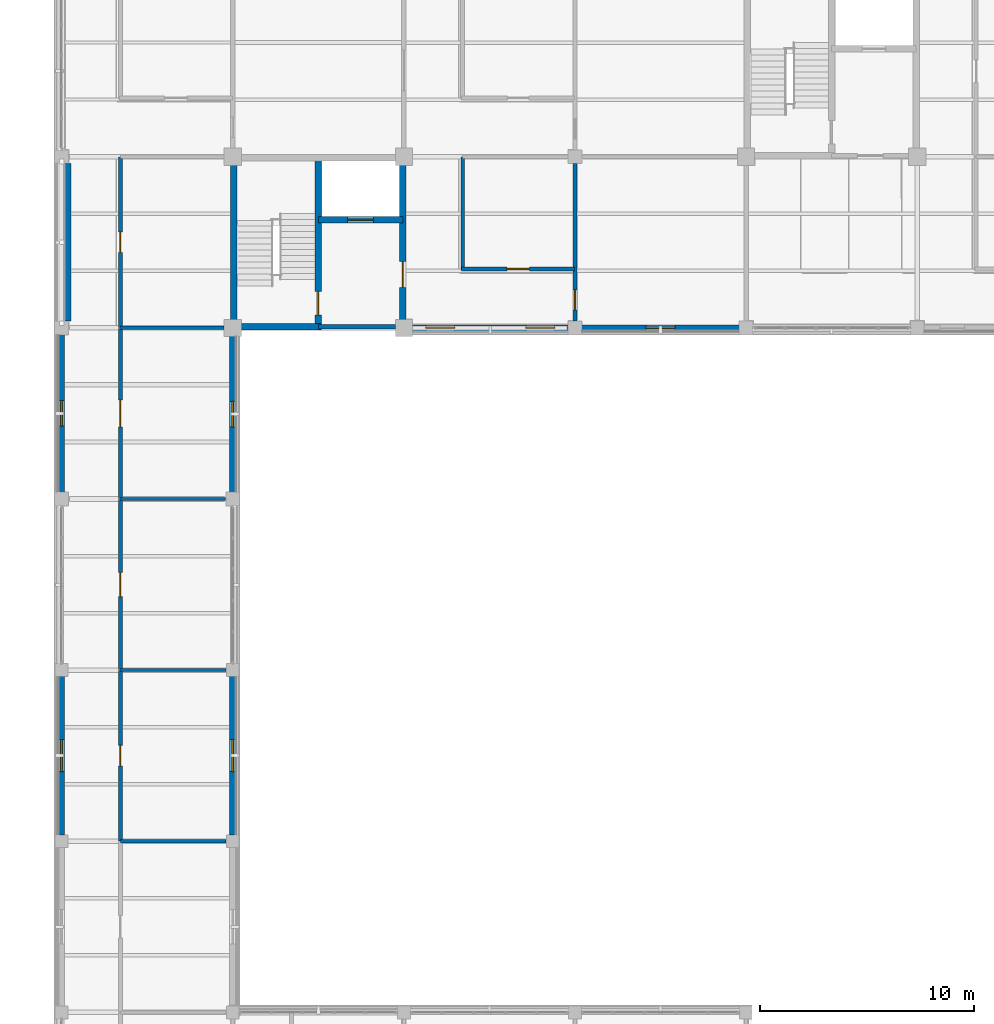
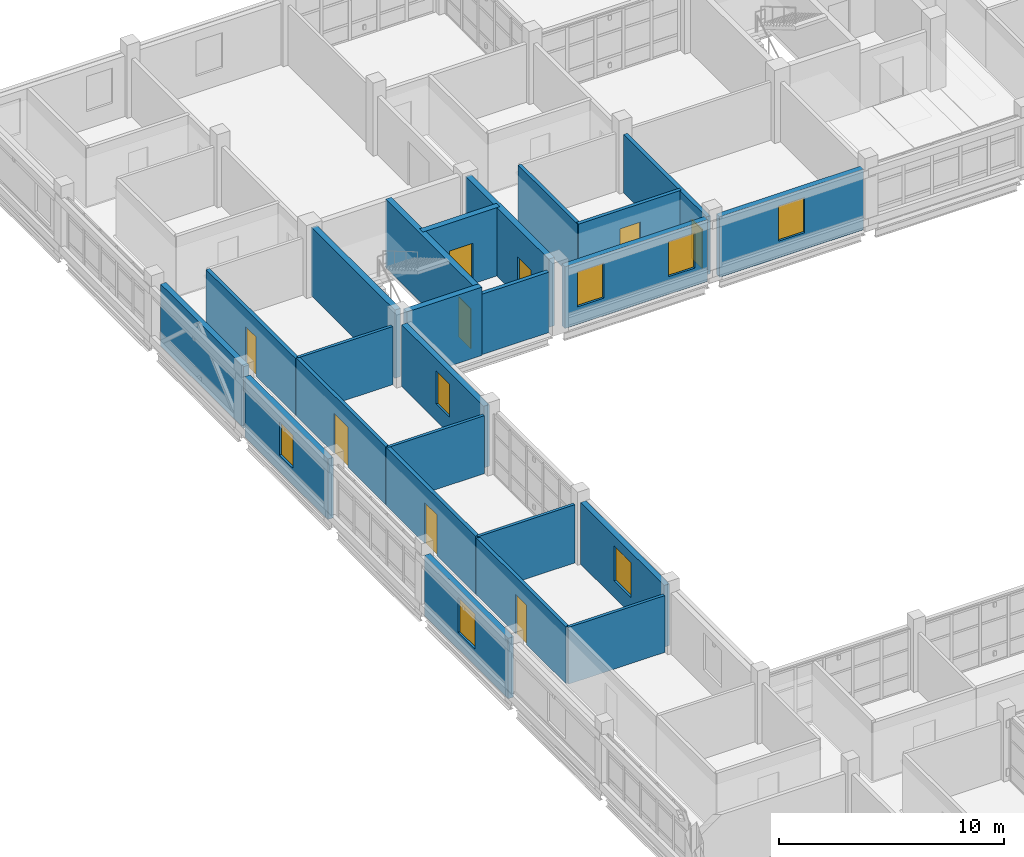
# One storey, part 94 of 126: 24 walls, 9 doors, 7 windows, 16 openings.
"""IFC4 building model written with IfcOpenShell, lengths in metres."""

from ifc_helpers import new_model, si_unit, derived_unit, direction, frame, frame_2d, origin, place, context, subcontext, project, spatial, rectangle, extrude, material, layer, layer_set, type_object, element, fill, save


model = new_model("IFC4")

# Units and contexts
model_context = context("Model", 3, precision=1e-05, world=origin(), true_north=direction((0.0, 1.0)))
body_context = subcontext(model_context, "Body", "Model", "MODEL_VIEW")
ifc_project = project(units=[si_unit("LENGTHUNIT", "METRE"), si_unit("AREAUNIT", "SQUARE_METRE"), si_unit("VOLUMEUNIT", "CUBIC_METRE"), si_unit("PLANEANGLEUNIT", "RADIAN"), si_unit("MASSUNIT", "GRAM", prefix="KILO"), derived_unit("THERMALTRANSMITTANCEUNIT", [(si_unit("MASSUNIT", "GRAM", prefix="KILO"), 1), (si_unit("TIMEUNIT", "SECOND"), -3), (si_unit("THERMODYNAMICTEMPERATUREUNIT", "KELVIN"), -1)])], contexts=[model_context])

# Site, building, storey
site_placement = place(None, origin())
site = spatial("IfcSite", under=ifc_project, at=site_placement, CompositionType="ELEMENT")
building_placement = place(site_placement, origin())
building = spatial("IfcBuilding", under=site, at=building_placement, Name="Veyamyaing Civic Hall", CompositionType="ELEMENT")
storey_placement = place(building_placement, frame((0.0, 0.0, 9.89990234375)))
storey = spatial("IfcBuildingStorey", under=building, at=storey_placement, Name="L02", CompositionType="ELEMENT", Elevation=9.89990234375)

# Wall, opening, window
ifc_material_1 = material(Name="Precast concrete C40/50", Category="concrete")
ifc_layer_1 = layer(ifc_material_1, 0.280029296875, Name="Precast concrete C40/50")
ifc_layer_set_1 = layer_set([ifc_layer_1], Name="Precast concrete C40/50")
wall_type_1 = type_object("IfcWallType", Name="WT-04", PredefinedType="SOLIDWALL", material=ifc_layer_set_1)
wall_1_placement = place(storey_placement, frame((0.0, 64.284912109375, 0.0), z_axis=(0.0, 0.0, 1.0), x_axis=(0.0, 1.0, 0.0)))
wall_1 = element("IfcWall", 1, at=wall_1_placement, inside=storey, type_object=wall_type_1, Name="Exterior facade wall WT-04 L02 W 1.9", PredefinedType="SOLIDWALL", context=body_context, shape_type="SweptSolid", body=[
    extrude(rectangle(XDim=7.43017578125, YDim=0.280029296875, at=frame_2d((3.715087890625, 0.0))), origin(), (0.0, 0.0, 1.0), 3.2841796875),
])
opening_1_placement = place(wall_1_placement, frame((2.965087890625, 0.0, 0.89990234375)))
opening_1 = element("IfcOpeningElement", 2, at=opening_1_placement, cuts=wall_1, Name="Opening W-12", PredefinedType="OPENING", context=body_context, shape_type="SweptSolid", body=[
    extrude(rectangle(XDim=1.5, YDim=1.89990234375, at=frame_2d((0.75, 0.949951171875))), frame((0.0, 0.14990234375, 0.0), z_axis=(0.0, -1.0, 0.0), x_axis=(1.0, 0.0, 0.0)), (0.0, 0.0, 1.0), 0.300048828125),
])
ifc_material_2 = material(Name="Low-E insulated glass", Category="glass")
window_type_1 = type_object("IfcWindowType", Name="W-12", PartitioningType="SINGLE_PANEL", PredefinedType="WINDOW", material=ifc_material_2)
window_1_placement = place(opening_1_placement, origin())
window_1 = element("IfcWindow", 3, at=window_1_placement, inside=storey, type_object=window_type_1, Name="Facade window W-12 L02 W 1.9", OverallHeight=1.89990234375, OverallWidth=1.5, PartitioningType="SINGLE_PANEL", PredefinedType="WINDOW", context=body_context, shape_type="SweptSolid", body=[
    extrude(rectangle(XDim=1.5, YDim=1.89990234375, at=frame_2d((0.75, 0.949951171875))), frame((0.0, 0.030029296875, 0.0), z_axis=(0.0, -1.0, 0.0), x_axis=(1.0, 0.0, 0.0)), (0.0, 0.0, 1.0), 0.06005859375),
])
fill(opening_1, window_1)

wall_2_placement = place(storey_placement, frame((8.0, 64.284912109375, 0.0), z_axis=(0.0, 0.0, 1.0), x_axis=(0.0, 1.0, 0.0)))
wall_2 = element("IfcWall", 4, at=wall_2_placement, inside=storey, type_object=wall_type_1, Name="Exterior facade wall WT-04 L02 E 1.9", PredefinedType="SOLIDWALL", context=body_context, shape_type="SweptSolid", body=[
    extrude(rectangle(XDim=7.43017578125, YDim=0.280029296875, at=frame_2d((3.715087890625, 0.0))), origin(), (0.0, 0.0, 1.0), 3.34716796875),
])
opening_2_placement = place(wall_2_placement, frame((2.965087890625, 0.0, 0.89990234375)))
opening_2 = element("IfcOpeningElement", 5, at=opening_2_placement, cuts=wall_2, Name="Opening W-12", PredefinedType="OPENING", context=body_context, shape_type="SweptSolid", body=[
    extrude(rectangle(XDim=1.5, YDim=1.89990234375, at=frame_2d((0.75, 0.949951171875))), frame((0.0, 0.14990234375, 0.0), z_axis=(0.0, -1.0, 0.0), x_axis=(1.0, 0.0, 0.0)), (0.0, 0.0, 1.0), 0.300048828125),
])
window_2_placement = place(opening_2_placement, origin())
window_2 = element("IfcWindow", 6, at=window_2_placement, inside=storey, type_object=window_type_1, Name="Facade window W-12 L02 E 1.9", OverallHeight=1.89990234375, OverallWidth=1.5, PartitioningType="SINGLE_PANEL", PredefinedType="WINDOW", context=body_context, shape_type="SweptSolid", body=[
    extrude(rectangle(XDim=1.5, YDim=1.89990234375, at=frame_2d((0.75, 0.949951171875))), frame((0.0, 0.030029296875, 0.0), z_axis=(0.0, -1.0, 0.0), x_axis=(1.0, 0.0, 0.0)), (0.0, 0.0, 1.0), 0.06005859375),
])
fill(opening_2, window_2)

wall_3_placement = place(storey_placement, frame((0.0, 80.31005859375, 0.0), z_axis=(0.0, 0.0, 1.0), x_axis=(0.0, 1.0, 0.0)))
wall_3 = element("IfcWall", 7, at=wall_3_placement, inside=storey, type_object=wall_type_1, Name="Exterior facade wall WT-04 L02 W 1.11", PredefinedType="SOLIDWALL", context=body_context, shape_type="SweptSolid", body=[
    extrude(rectangle(XDim=7.3798828125, YDim=0.280029296875, at=frame_2d((3.68994140625, 0.0))), origin(), (0.0, 0.0, 1.0), 3.280029296875),
])
opening_3_placement = place(wall_3_placement, frame((3.090087890625, 0.0, 0.89990234375)))
opening_3 = element("IfcOpeningElement", 8, at=opening_3_placement, cuts=wall_3, Name="Opening W-14", PredefinedType="OPENING", context=body_context, shape_type="SweptSolid", body=[
    extrude(rectangle(XDim=1.199951171875, YDim=1.800048828125, at=frame_2d((0.60009765625, 0.89990234375))), frame((0.0, 0.14990234375, 0.0), z_axis=(0.0, -1.0, 0.0), x_axis=(1.0, 0.0, 0.0)), (0.0, 0.0, 1.0), 0.300048828125),
])
window_type_2 = type_object("IfcWindowType", Name="W-14", PartitioningType="SINGLE_PANEL", PredefinedType="WINDOW", material=ifc_material_2)
window_3_placement = place(opening_3_placement, origin())
window_3 = element("IfcWindow", 9, at=window_3_placement, inside=storey, type_object=window_type_2, Name="Facade window W-14 L02 W 1.11", OverallHeight=1.800048828125, OverallWidth=1.199951171875, PartitioningType="SINGLE_PANEL", PredefinedType="WINDOW", context=body_context, shape_type="SweptSolid", body=[
    extrude(rectangle(XDim=1.199951171875, YDim=1.800048828125, at=frame_2d((0.60009765625, 0.89990234375))), frame((0.0, 0.030029296875, 0.0), z_axis=(0.0, -1.0, 0.0), x_axis=(1.0, 0.0, 0.0)), (0.0, 0.0, 1.0), 0.06005859375),
])
fill(opening_3, window_3)

wall_4_placement = place(storey_placement, frame((8.0, 80.31005859375, 0.0), z_axis=(0.0, 0.0, 1.0), x_axis=(0.0, 1.0, 0.0)))
wall_4 = element("IfcWall", 10, at=wall_4_placement, inside=storey, type_object=wall_type_1, Name="Exterior facade wall WT-04 L02 E 1.11", PredefinedType="SOLIDWALL", context=body_context, shape_type="SweptSolid", body=[
    extrude(rectangle(XDim=7.304931640625, YDim=0.280029296875, at=frame_2d((3.65234375, 0.0))), origin(), (0.0, 0.0, 1.0), 3.343994140625),
])
opening_4_placement = place(wall_4_placement, frame((3.052490234375, 0.0, 0.89990234375)))
opening_4 = element("IfcOpeningElement", 11, at=opening_4_placement, cuts=wall_4, Name="Opening W-14", PredefinedType="OPENING", context=body_context, shape_type="SweptSolid", body=[
    extrude(rectangle(XDim=1.199951171875, YDim=1.800048828125, at=frame_2d((0.60009765625, 0.89990234375))), frame((0.0, 0.14990234375, 0.0), z_axis=(0.0, -1.0, 0.0), x_axis=(1.0, 0.0, 0.0)), (0.0, 0.0, 1.0), 0.300048828125),
])
window_4_placement = place(opening_4_placement, origin())
window_4 = element("IfcWindow", 12, at=window_4_placement, inside=storey, type_object=window_type_2, Name="Facade window W-14 L02 E 1.11", OverallHeight=1.800048828125, OverallWidth=1.199951171875, PartitioningType="SINGLE_PANEL", PredefinedType="WINDOW", context=body_context, shape_type="SweptSolid", body=[
    extrude(rectangle(XDim=1.199951171875, YDim=1.800048828125, at=frame_2d((0.60009765625, 0.89990234375))), frame((0.0, 0.030029296875, 0.0), z_axis=(0.0, -1.0, 0.0), x_axis=(1.0, 0.0, 0.0)), (0.0, 0.0, 1.0), 0.06005859375),
])
fill(opening_4, window_4)

# Wall
wall_5_placement = place(storey_placement, frame((0.300048828125, 88.31005859375, 0.0), z_axis=(0.0, 0.0, 1.0), x_axis=(0.0, 1.0, 0.0)))
element("IfcWall", 13, at=wall_5_placement, inside=storey, type_object=wall_type_1, Name="Exterior facade wall WT-04 L02 W 1.12", PredefinedType="SOLIDWALL", context=body_context, shape_type="SweptSolid", body=[
    extrude(rectangle(XDim=7.3798828125, YDim=0.280029296875, at=frame_2d((3.68994140625, 0.0))), origin(), (0.0, 0.0, 1.0), 3.343994140625),
])

# Wall, openings, windows
wall_6_placement = place(storey_placement, frame((16.385009765625, 88.0, 0.0), z_axis=(0.0, 0.0, 1.0), x_axis=(1.0, 0.0, 0.0)))
wall_6 = element("IfcWall", 14, at=wall_6_placement, inside=storey, type_object=wall_type_1, Name="Exterior facade wall WT-04 L02 S 3.12", PredefinedType="SOLIDWALL", context=body_context, shape_type="SweptSolid", body=[
    extrude(rectangle(XDim=7.304931640625, YDim=0.280029296875, at=frame_2d((3.65234375, 0.0))), origin(), (0.0, 0.0, 1.0), 3.34716796875),
])
opening_5_placement = place(wall_6_placement, frame((0.639892578125, 0.0, 0.949951171875)))
opening_5 = element("IfcOpeningElement", 15, at=opening_5_placement, cuts=wall_6, Name="Opening W-13", PredefinedType="OPENING", context=body_context, shape_type="SweptSolid", body=[
    extrude(rectangle(XDim=1.35009765625, YDim=1.89990234375, at=frame_2d((0.675048828125, 0.949951171875))), frame((0.0, 0.14990234375, 0.0), z_axis=(0.0, -1.0, 0.0), x_axis=(1.0, 0.0, 0.0)), (0.0, 0.0, 1.0), 0.300048828125),
])
opening_6_placement = place(wall_6_placement, frame((5.315185546875, 0.0, 0.949951171875)))
opening_6 = element("IfcOpeningElement", 16, at=opening_6_placement, cuts=wall_6, Name="Opening W-13", PredefinedType="OPENING", context=body_context, shape_type="SweptSolid", body=[
    extrude(rectangle(XDim=1.35009765625, YDim=1.89990234375, at=frame_2d((0.675048828125, 0.949951171875))), frame((0.0, 0.14990234375, 0.0), z_axis=(0.0, -1.0, 0.0), x_axis=(1.0, 0.0, 0.0)), (0.0, 0.0, 1.0), 0.300048828125),
])
window_type_3 = type_object("IfcWindowType", Name="W-13", PartitioningType="SINGLE_PANEL", PredefinedType="WINDOW", material=ifc_material_2)
window_5_placement = place(opening_5_placement, origin())
window_5 = element("IfcWindow", 17, at=window_5_placement, inside=storey, type_object=window_type_3, Name="Facade window W-13 L02 S 3.12.1", OverallHeight=1.89990234375, OverallWidth=1.35009765625, PartitioningType="SINGLE_PANEL", PredefinedType="WINDOW", context=body_context, shape_type="SweptSolid", body=[
    extrude(rectangle(XDim=1.35009765625, YDim=1.89990234375, at=frame_2d((0.675048828125, 0.949951171875))), frame((0.0, 0.030029296875, 0.0), z_axis=(0.0, -1.0, 0.0), x_axis=(1.0, 0.0, 0.0)), (0.0, 0.0, 1.0), 0.06005859375),
])
fill(opening_5, window_5)
window_6_placement = place(opening_6_placement, origin())
window_6 = element("IfcWindow", 18, at=window_6_placement, inside=storey, type_object=window_type_3, Name="Facade window W-13 L02 S 3.12.2", OverallHeight=1.89990234375, OverallWidth=1.35009765625, PartitioningType="SINGLE_PANEL", PredefinedType="WINDOW", context=body_context, shape_type="SweptSolid", body=[
    extrude(rectangle(XDim=1.35009765625, YDim=1.89990234375, at=frame_2d((0.675048828125, 0.949951171875))), frame((0.0, 0.030029296875, 0.0), z_axis=(0.0, -1.0, 0.0), x_axis=(1.0, 0.0, 0.0)), (0.0, 0.0, 1.0), 0.06005859375),
])
fill(opening_6, window_6)

# Wall, opening, window
wall_7_placement = place(storey_placement, frame((24.31005859375, 88.0, 0.0), z_axis=(0.0, 0.0, 1.0), x_axis=(1.0, 0.0, 0.0)))
wall_7 = element("IfcWall", 19, at=wall_7_placement, inside=storey, type_object=wall_type_1, Name="Exterior facade wall WT-04 L02 S 4.12", PredefinedType="SOLIDWALL", context=body_context, shape_type="SweptSolid", body=[
    extrude(rectangle(XDim=7.3798828125, YDim=0.280029296875, at=frame_2d((3.68994140625, 0.0))), origin(), (0.0, 0.0, 1.0), 3.280029296875),
])
opening_7_placement = place(wall_7_placement, frame((3.014892578125, 0.0, 0.89990234375)))
opening_7 = element("IfcOpeningElement", 20, at=opening_7_placement, cuts=wall_7, Name="Opening W-13", PredefinedType="OPENING", context=body_context, shape_type="SweptSolid", body=[
    extrude(rectangle(XDim=1.35009765625, YDim=1.89990234375, at=frame_2d((0.675048828125, 0.949951171875))), frame((0.0, 0.14990234375, 0.0), z_axis=(0.0, -1.0, 0.0), x_axis=(1.0, 0.0, 0.0)), (0.0, 0.0, 1.0), 0.300048828125),
])
window_7_placement = place(opening_7_placement, origin())
window_7 = element("IfcWindow", 21, at=window_7_placement, inside=storey, type_object=window_type_3, Name="Facade window W-13 L02 S 4.12", OverallHeight=1.89990234375, OverallWidth=1.35009765625, PartitioningType="SINGLE_PANEL", PredefinedType="WINDOW", context=body_context, shape_type="SweptSolid", body=[
    extrude(rectangle(XDim=1.35009765625, YDim=1.89990234375, at=frame_2d((0.675048828125, 0.949951171875))), frame((0.0, 0.030029296875, 0.0), z_axis=(0.0, -1.0, 0.0), x_axis=(1.0, 0.0, 0.0)), (0.0, 0.0, 1.0), 0.06005859375),
])
fill(opening_7, window_7)

# Wall
ifc_material_3 = material(Name="Concrete C40/50", Category="concrete")
ifc_layer_2 = layer(ifc_material_3, 0.300048828125, Name="Concrete C40/50")
ifc_layer_set_2 = layer_set([ifc_layer_2], Name="Concrete C40/50")
wall_type_2 = type_object("IfcWallType", Name="WT-05", PredefinedType="SHEAR", material=ifc_layer_set_2)
wall_8_placement = place(storey_placement, frame((8.050048828125, 88.2900390625, 0.0), z_axis=(0.0, 0.0, 1.0), x_axis=(0.0, 1.0, 0.0)))
element("IfcWall", 22, at=wall_8_placement, inside=storey, type_object=wall_type_2, Name="Core shear wall WT-05 CORE-1 L02.W", PredefinedType="SHEAR", context=body_context, shape_type="SweptSolid", body=[
    extrude(rectangle(XDim=7.419921875, YDim=0.300048828125, at=frame_2d((3.7099609375, 0.0))), origin(), (0.0, 0.0, 1.0), 3.705078125),
])

# Wall, opening, door
wall_9_placement = place(storey_placement, frame((15.949951171875, 88.2900390625, 0.0), z_axis=(0.0, 0.0, 1.0), x_axis=(0.0, 1.0, 0.0)))
wall_9 = element("IfcWall", 23, at=wall_9_placement, inside=storey, type_object=wall_type_2, Name="Core shear wall WT-05 CORE-1 L02.E", PredefinedType="SHEAR", context=body_context, shape_type="SweptSolid", body=[
    extrude(rectangle(XDim=7.419921875, YDim=0.300048828125, at=frame_2d((3.7099609375, 0.0))), origin(), (0.0, 0.0, 1.0), 3.705078125),
])
opening_8_placement = place(wall_9_placement, frame((1.60009765625, 0.0, 0.0)))
opening_8 = element("IfcOpeningElement", 24, at=opening_8_placement, cuts=wall_9, Name="Opening D-04", PredefinedType="OPENING", context=body_context, shape_type="SweptSolid", body=[
    extrude(rectangle(XDim=1.199951171875, YDim=2.14990234375, at=frame_2d((0.60009765625, 1.074951171875))), frame((0.0, 0.159912109375, 0.0), z_axis=(0.0, -1.0, 0.0), x_axis=(1.0, 0.0, 0.0)), (0.0, 0.0, 1.0), 0.320068359375),
])
ifc_material_4 = material(Name="Galvanized steel S355J2", Category="steel")
door_type_1 = type_object("IfcDoorType", Name="D-04", OperationType="NOTDEFINED", PredefinedType="DOOR", material=ifc_material_4)
door_1_placement = place(opening_8_placement, frame((1.199951171875, 0.0, 0.0), z_axis=(0.0, 0.0, 1.0), x_axis=(-1.0, 0.0, 0.0)))
door_1 = element("IfcDoor", 25, at=door_1_placement, inside=storey, type_object=door_type_1, Name="Protected lobby fire door D-04 CORE-1 L02", OperationType="SINGLE_SWING_RIGHT", OverallHeight=2.14990234375, OverallWidth=1.199951171875, PredefinedType="DOOR", context=body_context, shape_type="SweptSolid", body=[
    extrude(rectangle(XDim=1.199951171875, YDim=2.14990234375, at=frame_2d((0.60009765625, 1.074951171875))), frame((0.0, 0.02490234375, 0.0), z_axis=(0.0, -1.0, 0.0), x_axis=(1.0, 0.0, 0.0)), (0.0, 0.0, 1.0), 0.050048828125),
])
fill(opening_8, door_1)

# Wall
wall_10_placement = place(storey_placement, frame((8.2900390625, 88.050048828125, 0.0), z_axis=(0.0, 0.0, 1.0), x_axis=(1.0, 0.0, 0.0)))
element("IfcWall", 26, at=wall_10_placement, inside=storey, type_object=wall_type_2, Name="Core shear wall WT-05 CORE-1 L02.SS", PredefinedType="SHEAR", context=body_context, shape_type="SweptSolid", body=[
    extrude(rectangle(XDim=3.85986328125, YDim=0.300048828125, at=frame_2d((1.929931640625, 0.0))), origin(), (0.0, 0.0, 1.0), 3.705078125),
])

# Wall, opening, door
wall_11_placement = place(storey_placement, frame((12.0, 88.050048828125, 0.0), z_axis=(0.0, 0.0, 1.0), x_axis=(0.0, 1.0, 0.0)))
wall_11 = element("IfcWall", 27, at=wall_11_placement, inside=storey, type_object=wall_type_2, Name="Core shear wall WT-05 CORE-1 L02.MID", PredefinedType="SHEAR", context=body_context, shape_type="SweptSolid", body=[
    extrude(rectangle(XDim=7.89990234375, YDim=0.300048828125, at=frame_2d((3.949951171875, 0.0))), origin(), (0.0, 0.0, 1.0), 3.705078125),
])
opening_9_placement = place(wall_11_placement, frame((0.550048828125, 0.0, 0.0)))
opening_9 = element("IfcOpeningElement", 28, at=opening_9_placement, cuts=wall_11, Name="Opening D-03", PredefinedType="OPENING", context=body_context, shape_type="SweptSolid", body=[
    extrude(rectangle(XDim=1.10009765625, YDim=2.14990234375, at=frame_2d((0.550048828125, 1.074951171875))), frame((0.0, 0.159912109375, 0.0), z_axis=(0.0, -1.0, 0.0), x_axis=(1.0, 0.0, 0.0)), (0.0, 0.0, 1.0), 0.320068359375),
])
door_type_2 = type_object("IfcDoorType", Name="D-03", OperationType="NOTDEFINED", PredefinedType="DOOR", material=ifc_material_4)
door_2_placement = place(opening_9_placement, origin())
door_2 = element("IfcDoor", 29, at=door_2_placement, inside=storey, type_object=door_type_2, Name="Exit stair fire door D-03 ST-01 L02", OperationType="SINGLE_SWING_LEFT", OverallHeight=2.14990234375, OverallWidth=1.10009765625, PredefinedType="DOOR", context=body_context, shape_type="SweptSolid", body=[
    extrude(rectangle(XDim=1.10009765625, YDim=2.14990234375, at=frame_2d((0.550048828125, 1.074951171875))), frame((0.0, 0.02490234375, 0.0), z_axis=(0.0, -1.0, 0.0), x_axis=(1.0, 0.0, 0.0)), (0.0, 0.0, 1.0), 0.050048828125),
])
fill(opening_9, door_2)

wall_12_placement = place(storey_placement, frame((12.0, 93.050048828125, 0.0), z_axis=(0.0, 0.0, 1.0), x_axis=(1.0, 0.0, 0.0)))
wall_12 = element("IfcWall", 30, at=wall_12_placement, inside=storey, type_object=wall_type_2, Name="Core shear wall WT-05 CORE-1 L02.LFT", PredefinedType="SHEAR", context=body_context, shape_type="SweptSolid", body=[
    extrude(rectangle(XDim=3.949951171875, YDim=0.300048828125, at=frame_2d((1.97509765625, 0.0))), origin(), (0.0, 0.0, 1.0), 3.705078125),
])
opening_10_placement = place(wall_12_placement, frame((1.375, 0.0, 0.0)))
opening_10 = element("IfcOpeningElement", 31, at=opening_10_placement, cuts=wall_12, Name="Opening LD-02", PredefinedType="OPENING", context=body_context, shape_type="SweptSolid", body=[
    extrude(rectangle(XDim=1.199951171875, YDim=2.199951171875, at=frame_2d((0.60009765625, 1.10009765625))), frame((0.0, 0.159912109375, 0.0), z_axis=(0.0, -1.0, 0.0), x_axis=(1.0, 0.0, 0.0)), (0.0, 0.0, 1.0), 0.320068359375),
])
door_type_3 = type_object("IfcDoorType", Name="LD-02", OperationType="SLIDING_TO_LEFT", PredefinedType="DOOR", material=ifc_material_4)
door_3_placement = place(opening_10_placement, origin())
door_3 = element("IfcDoor", 32, at=door_3_placement, inside=storey, type_object=door_type_3, Name="Lift sliding landing door LD-02 FL-01 L02", OperationType="SLIDING_TO_LEFT", OverallHeight=2.199951171875, OverallWidth=1.199951171875, PredefinedType="DOOR", context=body_context, shape_type="SweptSolid", body=[
    extrude(rectangle(XDim=1.199951171875, YDim=2.199951171875, at=frame_2d((0.60009765625, 1.10009765625))), frame((0.0, 0.02490234375, 0.0), z_axis=(0.0, -1.0, 0.0), x_axis=(1.0, 0.0, 0.0)), (0.0, 0.0, 1.0), 0.050048828125),
])
fill(opening_10, door_3)

# Wall
ifc_layer_3 = layer(ifc_material_3, 0.199951171875, Name="Concrete C40/50")
ifc_layer_set_3 = layer_set([ifc_layer_3], Name="Concrete C40/50")
wall_type_3 = type_object("IfcWallType", Name="WT-06", PredefinedType="PARTITIONING", material=ifc_layer_set_3)
wall_13_placement = place(storey_placement, frame((12.0, 88.050048828125, 0.0), z_axis=(0.0, 0.0, 1.0), x_axis=(1.0, 0.0, 0.0)))
element("IfcWall", 33, at=wall_13_placement, inside=storey, type_object=wall_type_3, Name="Firefighting lift lobby wall WT-06 CORE-1 L02", PredefinedType="PARTITIONING", context=body_context, shape_type="SweptSolid", body=[
    extrude(rectangle(XDim=3.610107421875, YDim=0.199951171875, at=frame_2d((1.80517578125, 0.0))), origin(), (0.0, 0.0, 1.0), 3.277099609375),
])

# Wall, opening, door
wall_14_placement = place(storey_placement, frame((24.0, 88.31494140625, 0.0), z_axis=(0.0, 0.0, 1.0), x_axis=(0.0, 1.0, 0.0)))
wall_14 = element("IfcWall", 34, at=wall_14_placement, inside=storey, type_object=wall_type_3, Name="Interior partition wall WT-06 L02.13", PredefinedType="PARTITIONING", context=body_context, shape_type="SweptSolid", body=[
    extrude(rectangle(XDim=7.3701171875, YDim=0.199951171875, at=frame_2d((3.68505859375, 0.0))), origin(), (0.0, 0.0, 1.0), 3.151123046875),
])
opening_11_placement = place(wall_14_placement, frame((0.52001953125, 0.0, 0.0)))
opening_11 = element("IfcOpeningElement", 35, at=opening_11_placement, cuts=wall_14, Name="Opening D-30", PredefinedType="OPENING", context=body_context, shape_type="SweptSolid", body=[
    extrude(rectangle(XDim=0.93994140625, YDim=2.1201171875, at=frame_2d((0.469970703125, 1.06005859375))), frame((0.0, 0.10986328125, 0.0), z_axis=(0.0, -1.0, 0.0), x_axis=(1.0, 0.0, 0.0)), (0.0, 0.0, 1.0), 0.219970703125),
])
ifc_material_5 = material(Name="Teak-veneered acoustic timber", Category="wood")
door_type_4 = type_object("IfcDoorType", Name="D-30", OperationType="NOTDEFINED", PredefinedType="DOOR", material=ifc_material_5)
door_4_placement = place(opening_11_placement, frame((0.93994140625, 0.0, 0.0), z_axis=(0.0, 0.0, 1.0), x_axis=(-1.0, 0.0, 0.0)))
door_4 = element("IfcDoor", 36, at=door_4_placement, inside=storey, type_object=door_type_4, Name="Interior door D-30 L02.13", OperationType="SINGLE_SWING_LEFT", OverallHeight=2.1201171875, OverallWidth=0.93994140625, PredefinedType="DOOR", context=body_context, shape_type="SweptSolid", body=[
    extrude(rectangle(XDim=0.93994140625, YDim=2.1201171875, at=frame_2d((0.469970703125, 1.06005859375))), frame((0.0, 0.02490234375, 0.0), z_axis=(0.0, -1.0, 0.0), x_axis=(1.0, 0.0, 0.0)), (0.0, 0.0, 1.0), 0.050048828125),
])
fill(opening_11, door_4)

ifc_material_6 = material(Name="Gypsum board on acoustic steel stud", Category="steel")
ifc_layer_4 = layer(ifc_material_6, 0.175048828125, Name="Gypsum board on acoustic steel stud")
ifc_layer_set_4 = layer_set([ifc_layer_4], Name="Gypsum board on acoustic steel stud")
wall_type_4 = type_object("IfcWallType", Name="WT-07", PredefinedType="PARTITIONING", material=ifc_layer_set_4)
wall_15_placement = place(storey_placement, frame((2.75, 64.02001953125, 0.0), z_axis=(0.0, 0.0, 1.0), x_axis=(0.0, 1.0, 0.0)))
wall_15 = element("IfcWall", 37, at=wall_15_placement, inside=storey, type_object=wall_type_4, Name="Corridor gallery partition WT-07 L02.3.1", PredefinedType="PARTITIONING", context=body_context, shape_type="SweptSolid", body=[
    extrude(rectangle(XDim=7.9599609375, YDim=0.175048828125, at=frame_2d((3.97998046875, 0.0))), origin(), (0.0, 0.0, 1.0), 3.08203125),
])
opening_12_placement = place(wall_15_placement, frame((3.5, 0.0, 0.0)))
opening_12 = element("IfcOpeningElement", 38, at=opening_12_placement, cuts=wall_15, Name="Opening D-25", PredefinedType="OPENING", context=body_context, shape_type="SweptSolid", body=[
    extrude(rectangle(XDim=0.9599609375, YDim=2.139892578125, at=frame_2d((0.47998046875, 1.06982421875))), frame((0.0, 0.097412109375, 0.0), z_axis=(0.0, -1.0, 0.0), x_axis=(1.0, 0.0, 0.0)), (0.0, 0.0, 1.0), 0.195068359375),
])
door_type_5 = type_object("IfcDoorType", Name="D-25", OperationType="NOTDEFINED", PredefinedType="DOOR", material=ifc_material_5)
door_5_placement = place(opening_12_placement, frame((0.9599609375, 0.0, 0.0), z_axis=(0.0, 0.0, 1.0), x_axis=(-1.0, 0.0, 0.0)))
door_5 = element("IfcDoor", 39, at=door_5_placement, inside=storey, type_object=door_type_5, Name="Gallery office door D-25 L02.3", OperationType="SINGLE_SWING_LEFT", OverallHeight=2.139892578125, OverallWidth=0.9599609375, PredefinedType="DOOR", context=body_context, shape_type="SweptSolid", body=[
    extrude(rectangle(XDim=0.9599609375, YDim=2.139892578125, at=frame_2d((0.47998046875, 1.06982421875))), frame((0.0, 0.02490234375, 0.0), z_axis=(0.0, -1.0, 0.0), x_axis=(1.0, 0.0, 0.0)), (0.0, 0.0, 1.0), 0.050048828125),
])
fill(opening_12, door_5)

wall_16_placement = place(storey_placement, frame((2.75, 80.02001953125, 0.0), z_axis=(0.0, 0.0, 1.0), x_axis=(0.0, 1.0, 0.0)))
wall_16 = element("IfcWall", 40, at=wall_16_placement, inside=storey, type_object=wall_type_4, Name="Corridor gallery partition WT-07 L02.5.1", PredefinedType="PARTITIONING", context=body_context, shape_type="SweptSolid", body=[
    extrude(rectangle(XDim=7.9599609375, YDim=0.175048828125, at=frame_2d((3.97998046875, 0.0))), origin(), (0.0, 0.0, 1.0), 3.14111328125),
])
opening_13_placement = place(wall_16_placement, frame((3.35498046875, 0.0, 0.0)))
opening_13 = element("IfcOpeningElement", 41, at=opening_13_placement, cuts=wall_16, Name="Opening D-29", PredefinedType="OPENING", context=body_context, shape_type="SweptSolid", body=[
    extrude(rectangle(XDim=1.25, YDim=2.179931640625, at=frame_2d((0.625, 1.08984375))), frame((0.0, 0.097412109375, 0.0), z_axis=(0.0, -1.0, 0.0), x_axis=(1.0, 0.0, 0.0)), (0.0, 0.0, 1.0), 0.195068359375),
])
door_type_6 = type_object("IfcDoorType", Name="D-29", OperationType="NOTDEFINED", PredefinedType="DOOR", material=ifc_material_5)
door_6_placement = place(opening_13_placement, frame((1.25, 0.0, 0.0), z_axis=(0.0, 0.0, 1.0), x_axis=(-1.0, 0.0, 0.0)))
door_6 = element("IfcDoor", 42, at=door_6_placement, inside=storey, type_object=door_type_6, Name="Gallery office door D-29 L02.5", OperationType="SINGLE_SWING_LEFT", OverallHeight=2.179931640625, OverallWidth=1.25, PredefinedType="DOOR", context=body_context, shape_type="SweptSolid", body=[
    extrude(rectangle(XDim=1.25, YDim=2.179931640625, at=frame_2d((0.625, 1.08984375))), frame((0.0, 0.02490234375, 0.0), z_axis=(0.0, -1.0, 0.0), x_axis=(1.0, 0.0, 0.0)), (0.0, 0.0, 1.0), 0.050048828125),
])
fill(opening_13, door_6)

wall_17_placement = place(storey_placement, frame((18.699951171875, 90.75, 0.0), z_axis=(0.0, 0.0, 1.0), x_axis=(1.0, 0.0, 0.0)))
wall_17 = element("IfcWall", 43, at=wall_17_placement, inside=storey, type_object=wall_type_4, Name="Corridor gallery partition WT-07 L02.17.1", PredefinedType="PARTITIONING", context=body_context, shape_type="SweptSolid", body=[
    extrude(rectangle(XDim=5.280029296875, YDim=0.175048828125, at=frame_2d((2.64013671875, 0.0))), origin(), (0.0, 0.0, 1.0), 3.151123046875),
])
opening_14_placement = place(wall_17_placement, frame((2.114990234375, 0.0, 0.0)))
opening_14 = element("IfcOpeningElement", 44, at=opening_14_placement, cuts=wall_17, Name="Opening D-12", PredefinedType="OPENING", context=body_context, shape_type="SweptSolid", body=[
    extrude(rectangle(XDim=1.050048828125, YDim=2.14990234375, at=frame_2d((0.52490234375, 1.074951171875))), frame((0.0, 0.097412109375, 0.0), z_axis=(0.0, -1.0, 0.0), x_axis=(1.0, 0.0, 0.0)), (0.0, 0.0, 1.0), 0.195068359375),
])
door_type_7 = type_object("IfcDoorType", Name="D-12", OperationType="NOTDEFINED", PredefinedType="DOOR", material=ifc_material_5)
door_7_placement = place(opening_14_placement, origin())
door_7 = element("IfcDoor", 45, at=door_7_placement, inside=storey, type_object=door_type_7, Name="Gallery office door D-12 L02.17", OperationType="SINGLE_SWING_LEFT", OverallHeight=2.14990234375, OverallWidth=1.050048828125, PredefinedType="DOOR", context=body_context, shape_type="SweptSolid", body=[
    extrude(rectangle(XDim=1.050048828125, YDim=2.14990234375, at=frame_2d((0.52490234375, 1.074951171875))), frame((0.0, 0.02490234375, 0.0), z_axis=(0.0, -1.0, 0.0), x_axis=(1.0, 0.0, 0.0)), (0.0, 0.0, 1.0), 0.050048828125),
])
fill(opening_14, door_7)

# Walls
wall_18_placement = place(storey_placement, frame((18.75, 90.699951171875, 0.0), z_axis=(0.0, 0.0, 1.0), x_axis=(0.0, 1.0, 0.0)))
element("IfcWall", 46, at=wall_18_placement, inside=storey, type_object=wall_type_4, Name="Corridor gallery partition WT-07 L02.17.2", PredefinedType="PARTITIONING", context=body_context, shape_type="SweptSolid", body=[
    extrude(rectangle(XDim=5.280029296875, YDim=0.175048828125, at=frame_2d((2.64013671875, 0.0))), origin(), (0.0, 0.0, 1.0), 3.14111328125),
])
ifc_material_7 = material(Name="Gypsum board on steel stud", Category="steel")
ifc_layer_5 = layer(ifc_material_7, 0.14990234375, Name="Gypsum board on steel stud")
ifc_layer_set_5 = layer_set([ifc_layer_5], Name="Gypsum board on steel stud")
wall_type_5 = type_object("IfcWallType", Name="WT-08", PredefinedType="PARTITIONING", material=ifc_layer_set_5)
wall_19_placement = place(storey_placement, frame((2.75, 64.0, 0.0), z_axis=(0.0, 0.0, 1.0), x_axis=(1.0, 0.0, 0.0)))
element("IfcWall", 47, at=wall_19_placement, inside=storey, type_object=wall_type_5, Name="Gallery office end partition WT-08 L02.2.2", PredefinedType="PARTITIONING", context=body_context, shape_type="SweptSolid", body=[
    extrude(rectangle(XDim=4.93994140625, YDim=0.14990234375, at=frame_2d((2.469970703125, 0.0))), origin(), (0.0, 0.0, 1.0), 3.08203125),
])
wall_20_placement = place(storey_placement, frame((2.75, 72.0, 0.0), z_axis=(0.0, 0.0, 1.0), x_axis=(1.0, 0.0, 0.0)))
element("IfcWall", 48, at=wall_20_placement, inside=storey, type_object=wall_type_5, Name="Gallery office end partition WT-08 L02.3.2", PredefinedType="PARTITIONING", context=body_context, shape_type="SweptSolid", body=[
    extrude(rectangle(XDim=4.93994140625, YDim=0.14990234375, at=frame_2d((2.469970703125, 0.0))), origin(), (0.0, 0.0, 1.0), 3.156982421875),
])
wall_21_placement = place(storey_placement, frame((2.75, 80.0, 0.0), z_axis=(0.0, 0.0, 1.0), x_axis=(1.0, 0.0, 0.0)))
element("IfcWall", 49, at=wall_21_placement, inside=storey, type_object=wall_type_5, Name="Gallery office end partition WT-08 L02.4.2", PredefinedType="PARTITIONING", context=body_context, shape_type="SweptSolid", body=[
    extrude(rectangle(XDim=4.9150390625, YDim=0.14990234375, at=frame_2d((2.45751953125, 0.0))), origin(), (0.0, 0.0, 1.0), 3.14111328125),
])
wall_22_placement = place(storey_placement, frame((2.75, 88.0, 0.0), z_axis=(0.0, 0.0, 1.0), x_axis=(1.0, 0.0, 0.0)))
element("IfcWall", 50, at=wall_22_placement, inside=storey, type_object=wall_type_5, Name="Gallery office end partition WT-08 L02.5.2", PredefinedType="PARTITIONING", context=body_context, shape_type="SweptSolid", body=[
    extrude(rectangle(XDim=4.840087890625, YDim=0.14990234375, at=frame_2d((2.419921875, 0.0))), origin(), (0.0, 0.0, 1.0), 3.151123046875),
])

# Wall, opening, door
ifc_material_8 = material(Name="Gypsum board on double acoustic stud")
ifc_layer_6 = layer(ifc_material_8, 0.18505859375, Name="Gypsum board on double acoustic stud")
ifc_layer_set_6 = layer_set([ifc_layer_6], Name="Gypsum board on double acoustic stud")
wall_type_6 = type_object("IfcWallType", Name="WT-19", PredefinedType="PARTITIONING", material=ifc_layer_set_6)
wall_23_placement = place(storey_placement, frame((2.75, 72.02001953125, 0.0), z_axis=(0.0, 0.0, 1.0), x_axis=(0.0, 1.0, 0.0)))
wall_23 = element("IfcWall", 51, at=wall_23_placement, inside=storey, type_object=wall_type_6, Name="Corridor gallery partition WT-19 L02.4.1", PredefinedType="PARTITIONING", context=body_context, shape_type="SweptSolid", body=[
    extrude(rectangle(XDim=7.9599609375, YDim=0.18505859375, at=frame_2d((3.97998046875, 0.0))), origin(), (0.0, 0.0, 1.0), 3.14111328125),
])
opening_15_placement = place(wall_23_placement, frame((3.419921875, 0.0, 0.0)))
opening_15 = element("IfcOpeningElement", 52, at=opening_15_placement, cuts=wall_23, Name="Opening D-26", PredefinedType="OPENING", context=body_context, shape_type="SweptSolid", body=[
    extrude(rectangle(XDim=1.1201171875, YDim=2.219970703125, at=frame_2d((0.56005859375, 1.10986328125))), frame((0.0, 0.1025390625, 0.0), z_axis=(0.0, -1.0, 0.0), x_axis=(1.0, 0.0, 0.0)), (0.0, 0.0, 1.0), 0.205078125),
])
door_type_8 = type_object("IfcDoorType", Name="D-26", OperationType="NOTDEFINED", PredefinedType="DOOR", material=ifc_material_5)
door_8_placement = place(opening_15_placement, frame((1.1201171875, 0.0, 0.0), z_axis=(0.0, 0.0, 1.0), x_axis=(-1.0, 0.0, 0.0)))
door_8 = element("IfcDoor", 53, at=door_8_placement, inside=storey, type_object=door_type_8, Name="Gallery office door D-26 L02.4", OperationType="SINGLE_SWING_RIGHT", OverallHeight=2.219970703125, OverallWidth=1.1201171875, PredefinedType="DOOR", context=body_context, shape_type="SweptSolid", body=[
    extrude(rectangle(XDim=1.1201171875, YDim=2.219970703125, at=frame_2d((0.56005859375, 1.10986328125))), frame((0.0, 0.02490234375, 0.0), z_axis=(0.0, -1.0, 0.0), x_axis=(1.0, 0.0, 0.0)), (0.0, 0.0, 1.0), 0.050048828125),
])
fill(opening_15, door_8)

wall_24_placement = place(storey_placement, frame((2.75, 88.02001953125, 0.0), z_axis=(0.0, 0.0, 1.0), x_axis=(0.0, 1.0, 0.0)))
wall_24 = element("IfcWall", 54, at=wall_24_placement, inside=storey, type_object=wall_type_6, Name="Corridor gallery partition WT-19 L02.6.1", PredefinedType="PARTITIONING", context=body_context, shape_type="SweptSolid", body=[
    extrude(rectangle(XDim=7.9599609375, YDim=0.18505859375, at=frame_2d((3.97998046875, 0.0))), origin(), (0.0, 0.0, 1.0), 3.08203125),
])
opening_16_placement = place(wall_24_placement, frame((3.510009765625, 0.0, 0.0)))
opening_16 = element("IfcOpeningElement", 55, at=opening_16_placement, cuts=wall_24, Name="Opening D-30", PredefinedType="OPENING", context=body_context, shape_type="SweptSolid", body=[
    extrude(rectangle(XDim=0.93994140625, YDim=2.1201171875, at=frame_2d((0.469970703125, 1.06005859375))), frame((0.0, 0.1025390625, 0.0), z_axis=(0.0, -1.0, 0.0), x_axis=(1.0, 0.0, 0.0)), (0.0, 0.0, 1.0), 0.205078125),
])
door_9_placement = place(opening_16_placement, frame((0.93994140625, 0.0, 0.0), z_axis=(0.0, 0.0, 1.0), x_axis=(-1.0, 0.0, 0.0)))
door_9 = element("IfcDoor", 56, at=door_9_placement, inside=storey, type_object=door_type_4, Name="Gallery office door D-30 L02.6", OperationType="SINGLE_SWING_RIGHT", OverallHeight=2.1201171875, OverallWidth=0.93994140625, PredefinedType="DOOR", context=body_context, shape_type="SweptSolid", body=[
    extrude(rectangle(XDim=0.93994140625, YDim=2.1201171875, at=frame_2d((0.469970703125, 1.06005859375))), frame((0.0, 0.02490234375, 0.0), z_axis=(0.0, -1.0, 0.0), x_axis=(1.0, 0.0, 0.0)), (0.0, 0.0, 1.0), 0.050048828125),
])
fill(opening_16, door_9)

save(model, "model.ifc")
